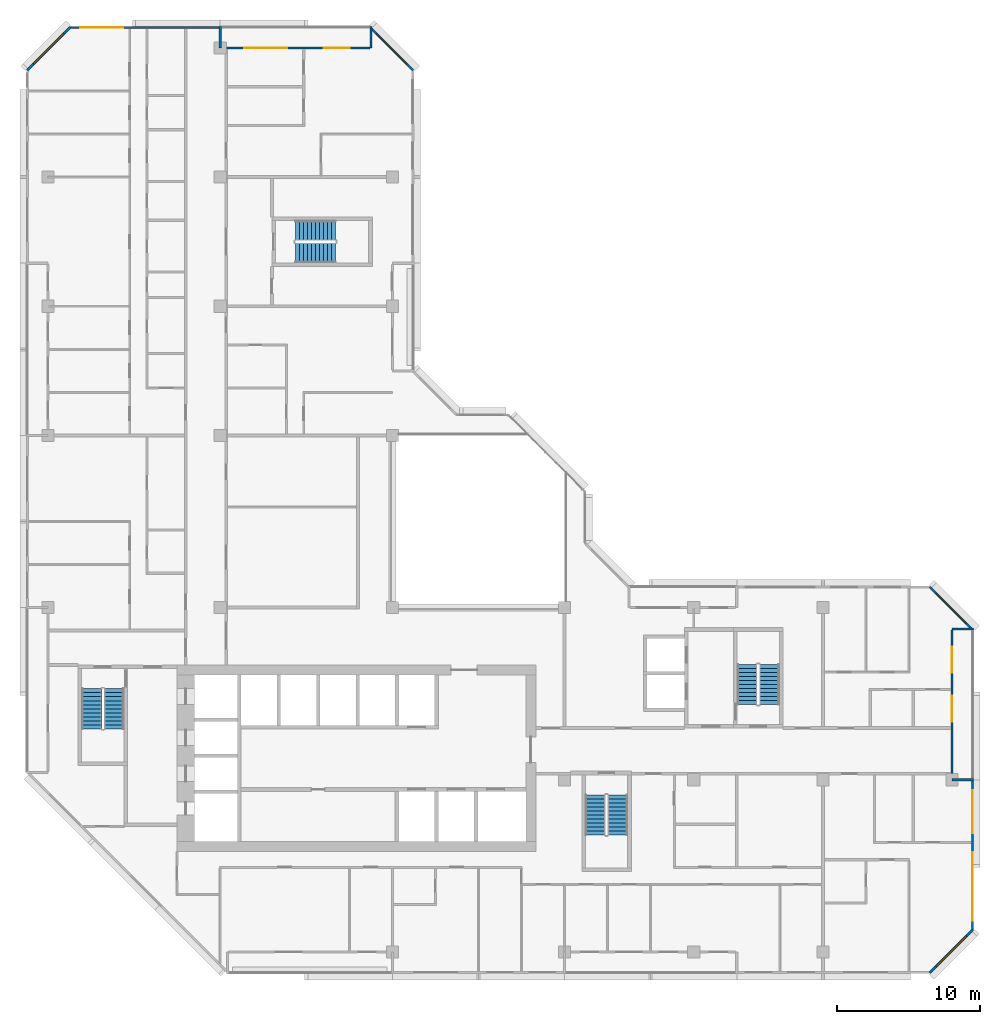
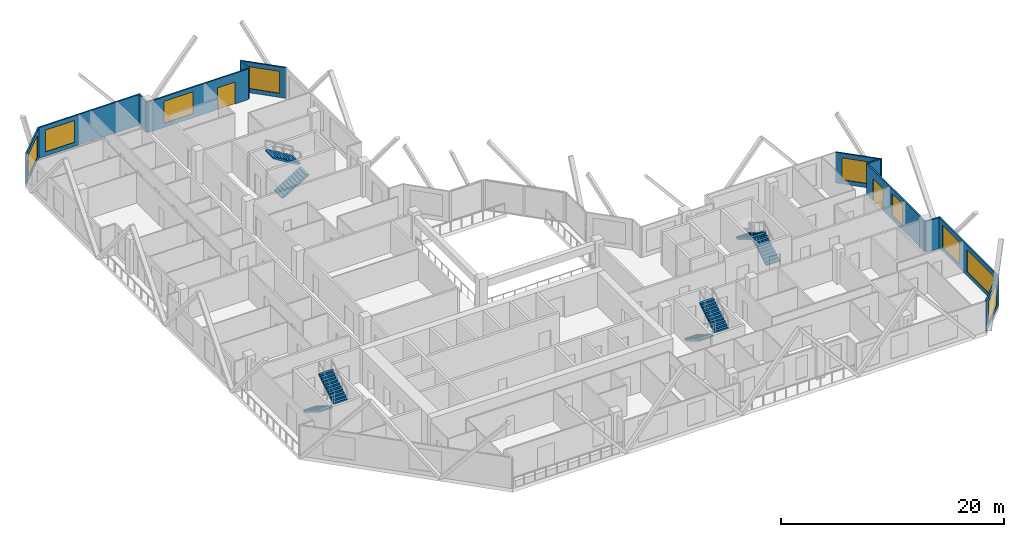
# One storey, part 12 of 14: 12 walls, 9 windows, 8 stair flights, 2 doors, 11 openings, 4 elements without a shape of their own.
"""IFC4 building model written with IfcOpenShell, lengths in metres."""

from ifc_helpers import new_model, si_unit, direction, frame, frame_2d, origin, place, context, subcontext, project, spatial, polyline, rectangle, outline, extrude, material, layer, layer_set, type_object, element, fill, aggregate, save


model = new_model("IFC4")

# Units and contexts
model_context = context("Model", 3, precision=1e-05, world=origin(), true_north=direction((0.0, 1.0)))
body_context = subcontext(model_context, "Body", "Model", "MODEL_VIEW")
ifc_project = project(units=[si_unit("LENGTHUNIT", "METRE"), si_unit("AREAUNIT", "SQUARE_METRE"), si_unit("VOLUMEUNIT", "CUBIC_METRE"), si_unit("PLANEANGLEUNIT", "RADIAN"), si_unit("MASSUNIT", "GRAM", prefix="KILO")], contexts=[model_context])

# Site, building, storey
site_placement = place(None, origin())
site = spatial("IfcSite", under=ifc_project, at=site_placement, CompositionType="ELEMENT")
building_placement = place(site_placement, origin())
building = spatial("IfcBuilding", under=site, at=building_placement, Name="Chenar Terraces", CompositionType="ELEMENT")
storey_placement = place(building_placement, frame((0.0, 0.0, 226.64990234375)))
storey = spatial("IfcBuildingStorey", under=building, at=storey_placement, Name="L53", CompositionType="ELEMENT", Elevation=226.64990234375)

# Wall, opening, window
ifc_material_1 = material(Name="Aluminium framed glazing", Category="aluminium")
ifc_layer_1 = layer(ifc_material_1, 0.14990234375)
ifc_layer_set_1 = layer_set([ifc_layer_1], Name="Aluminium framed glazing")
wall_type_1 = type_object("IfcWallType", Name="Glazed flush facade wall 150", PredefinedType="SOLIDWALL", material=ifc_layer_set_1)
wall_1_placement = place(storey_placement, frame((11.925048828125, 64.425048828125, 0.0), z_axis=(0.0, 0.0, 1.0), x_axis=(-1.0, 0.0, 0.0)))
wall_1 = element("IfcWall", 1, at=wall_1_placement, inside=storey, type_object=wall_type_1, Name="Glazed flush facade wall", PredefinedType="SOLIDWALL", context=body_context, shape_type="SweptSolid", body=[
    extrude(rectangle(XDim=10.425048828125, YDim=0.14990234375, at=frame_2d((5.21240234375, 0.0))), origin(), (0.0, 0.0, 1.0), 3.35009765625),
])
opening_1_placement = place(wall_1_placement, frame((6.675048828125, 0.0, 0.449951171875)))
opening_1 = element("IfcOpeningElement", 2, at=opening_1_placement, cuts=wall_1, Name="Opening W300x240", PredefinedType="OPENING", context=body_context, shape_type="SweptSolid", body=[
    extrude(rectangle(XDim=3.0, YDim=2.39990234375, at=frame_2d((1.5, 1.199951171875))), frame((0.0, 0.0849609375, 0.0), z_axis=(0.0, -1.0, 0.0), x_axis=(1.0, 0.0, 0.0)), (0.0, 0.0, 1.0), 0.169921875),
])
ifc_material_2 = material(Name="Low emissivity double glazing, aluminium frame", Category="aluminium")
window_type_1 = type_object("IfcWindowType", Name="Fixed light 3000 x 2400", PartitioningType="SINGLE_PANEL", PredefinedType="WINDOW", material=ifc_material_2)
window_1_placement = place(opening_1_placement, origin())
window_1 = element("IfcWindow", 3, at=window_1_placement, inside=storey, type_object=window_type_1, Name="Window", OverallHeight=2.39990234375, OverallWidth=3.0, PartitioningType="SINGLE_PANEL", PredefinedType="WINDOW", context=body_context, shape_type="SweptSolid", body=[
    extrude(rectangle(XDim=3.0, YDim=2.39990234375, at=frame_2d((1.5, 1.199951171875))), frame((0.0, 0.030029296875, 0.0), z_axis=(0.0, -1.0, 0.0), x_axis=(1.0, 0.0, 0.0)), (0.0, 0.0, 1.0), 0.06005859375),
])
fill(opening_1, window_1)

# Wall, openings, windows
wall_2_placement = place(storey_placement, frame((64.425048828125, 1.5, 0.0), z_axis=(0.0, 0.0, 1.0), x_axis=(0.0, 1.0, 0.0)))
wall_2 = element("IfcWall", 4, at=wall_2_placement, inside=storey, type_object=wall_type_1, Name="Glazed flush facade wall", PredefinedType="SOLIDWALL", context=body_context, shape_type="SweptSolid", body=[
    extrude(rectangle(XDim=10.425048828125, YDim=0.14990234375, at=frame_2d((5.21240234375, 0.0))), origin(), (0.0, 0.0, 1.0), 3.35009765625),
])
opening_2_placement = place(wall_2_placement, frame((0.66259765625, 0.0, 0.449951171875)))
opening_2 = element("IfcOpeningElement", 5, at=opening_2_placement, cuts=wall_2, Name="Opening W480x240", PredefinedType="OPENING", context=body_context, shape_type="SweptSolid", body=[
    extrude(rectangle(XDim=4.800048828125, YDim=2.39990234375, at=frame_2d((2.39990234375, 1.199951171875))), frame((0.0, 0.0849609375, 0.0), z_axis=(0.0, -1.0, 0.0), x_axis=(1.0, 0.0, 0.0)), (0.0, 0.0, 1.0), 0.169921875),
])
opening_3_placement = place(wall_2_placement, frame((6.77490234375, 0.0, 0.449951171875)))
opening_3 = element("IfcOpeningElement", 6, at=opening_3_placement, cuts=wall_2, Name="Opening W300x240", PredefinedType="OPENING", context=body_context, shape_type="SweptSolid", body=[
    extrude(rectangle(XDim=3.0, YDim=2.39990234375, at=frame_2d((1.5, 1.199951171875))), frame((0.0, 0.0849609375, 0.0), z_axis=(0.0, -1.0, 0.0), x_axis=(1.0, 0.0, 0.0)), (0.0, 0.0, 1.0), 0.169921875),
])
window_2_placement = place(opening_3_placement, origin())
window_2 = element("IfcWindow", 7, at=window_2_placement, inside=storey, type_object=window_type_1, Name="Window", OverallHeight=2.39990234375, OverallWidth=3.0, PartitioningType="SINGLE_PANEL", PredefinedType="WINDOW", context=body_context, shape_type="SweptSolid", body=[
    extrude(rectangle(XDim=3.0, YDim=2.39990234375, at=frame_2d((1.5, 1.199951171875))), frame((0.0, 0.030029296875, 0.0), z_axis=(0.0, -1.0, 0.0), x_axis=(1.0, 0.0, 0.0)), (0.0, 0.0, 1.0), 0.06005859375),
])
fill(opening_3, window_2)
ifc_material_3 = material(Name="Low emissivity double glazing, aluminium frame", Category="aluminium")
window_type_2 = type_object("IfcWindowType", Name="Fixed light 4800 x 2400", PartitioningType="SINGLE_PANEL", PredefinedType="WINDOW", material=ifc_material_3)
window_3_placement = place(opening_2_placement, origin())
window_3 = element("IfcWindow", 8, at=window_3_placement, inside=storey, type_object=window_type_2, Name="Window", OverallHeight=2.39990234375, OverallWidth=4.800048828125, PartitioningType="SINGLE_PANEL", PredefinedType="WINDOW", context=body_context, shape_type="SweptSolid", body=[
    extrude(rectangle(XDim=4.800048828125, YDim=2.39990234375, at=frame_2d((2.39990234375, 1.199951171875))), frame((0.0, 0.030029296875, 0.0), z_axis=(0.0, -1.0, 0.0), x_axis=(1.0, 0.0, 0.0)), (0.0, 0.0, 1.0), 0.06005859375),
])
fill(opening_2, window_3)

# Wall, openings, window, door
ifc_material_4 = material(Name="Aluminium framed glazing", Category="aluminium")
ifc_layer_2 = layer(ifc_material_4, 0.14990234375)
ifc_layer_set_2 = layer_set([ifc_layer_2], Name="Aluminium framed glazing")
wall_type_2 = type_object("IfcWallType", Name="Glazed loggia back wall 150", PredefinedType="SOLIDWALL", material=ifc_layer_set_2)
wall_3_placement = place(storey_placement, frame((22.425048828125, 63.0, 0.0), z_axis=(0.0, 0.0, 1.0), x_axis=(-1.0, 0.0, 0.0)))
wall_3 = element("IfcWall", 9, at=wall_3_placement, inside=storey, type_object=wall_type_2, Name="Glazed loggia back wall", PredefinedType="SOLIDWALL", context=body_context, shape_type="SweptSolid", body=[
    extrude(rectangle(XDim=10.35009765625, YDim=0.14990234375, at=frame_2d((5.175048828125, 0.0))), origin(), (0.0, 0.0, 1.0), 3.35009765625),
])
opening_4_placement = place(wall_3_placement, frame((1.39990234375, 0.0, 0.0)))
opening_4 = element("IfcOpeningElement", 10, at=opening_4_placement, cuts=wall_3, Name="Opening DL53-G2", PredefinedType="OPENING", context=body_context, shape_type="SweptSolid", body=[
    extrude(rectangle(XDim=1.800048828125, YDim=2.39990234375, at=frame_2d((0.89990234375, 1.199951171875))), frame((0.0, 0.0849609375, 0.0), z_axis=(0.0, -1.0, 0.0), x_axis=(1.0, 0.0, 0.0)), (0.0, 0.0, 1.0), 0.169921875),
])
opening_5_placement = place(wall_3_placement, frame((5.75, 0.0, 0.449951171875)))
opening_5 = element("IfcOpeningElement", 11, at=opening_5_placement, cuts=wall_3, Name="Opening W300x240", PredefinedType="OPENING", context=body_context, shape_type="SweptSolid", body=[
    extrude(rectangle(XDim=3.0, YDim=2.39990234375, at=frame_2d((1.5, 1.199951171875))), frame((0.0, 0.0849609375, 0.0), z_axis=(0.0, -1.0, 0.0), x_axis=(1.0, 0.0, 0.0)), (0.0, 0.0, 1.0), 0.169921875),
])
window_4_placement = place(opening_5_placement, origin())
window_4 = element("IfcWindow", 12, at=window_4_placement, inside=storey, type_object=window_type_1, Name="Window", OverallHeight=2.39990234375, OverallWidth=3.0, PartitioningType="SINGLE_PANEL", PredefinedType="WINDOW", context=body_context, shape_type="SweptSolid", body=[
    extrude(rectangle(XDim=3.0, YDim=2.39990234375, at=frame_2d((1.5, 1.199951171875))), frame((0.0, 0.030029296875, 0.0), z_axis=(0.0, -1.0, 0.0), x_axis=(1.0, 0.0, 0.0)), (0.0, 0.0, 1.0), 0.06005859375),
])
fill(opening_5, window_4)
ifc_material_5 = material(Name="Low emissivity double glazing, aluminium frame", Category="aluminium")
door_type = type_object("IfcDoorType", Name="Loggia glazed double door 1800 x 2400", OperationType="DOUBLE_DOOR_SINGLE_SWING", PredefinedType="DOOR", material=ifc_material_5)
door_1_placement = place(opening_4_placement, frame((1.800048828125, 0.0, 0.0), z_axis=(0.0, 0.0, 1.0), x_axis=(-1.0, 0.0, 0.0)))
door_1 = element("IfcDoor", 13, at=door_1_placement, inside=storey, type_object=door_type, Name="Loggia glazed door", OperationType="DOUBLE_DOOR_SINGLE_SWING", OverallHeight=2.39990234375, OverallWidth=1.800048828125, PredefinedType="DOOR", context=body_context, shape_type="SweptSolid", body=[
    extrude(rectangle(XDim=1.800048828125, YDim=2.39990234375, at=frame_2d((0.89990234375, 1.199951171875))), frame((0.0, 0.02490234375, 0.0), z_axis=(0.0, -1.0, 0.0), x_axis=(1.0, 0.0, 0.0)), (0.0, 0.0, 1.0), 0.050048828125),
])
fill(opening_4, door_1)

wall_4_placement = place(storey_placement, frame((63.0, 12.074951171875, 0.0), z_axis=(0.0, 0.0, 1.0), x_axis=(0.0, 1.0, 0.0)))
wall_4 = element("IfcWall", 14, at=wall_4_placement, inside=storey, type_object=wall_type_2, Name="Glazed loggia back wall", PredefinedType="SOLIDWALL", context=body_context, shape_type="SweptSolid", body=[
    extrude(rectangle(XDim=10.35009765625, YDim=0.14990234375, at=frame_2d((5.175048828125, 0.0))), origin(), (0.0, 0.0, 1.0), 3.35009765625),
])
opening_6_placement = place(wall_4_placement, frame((3.97509765625, 0.0, 0.449951171875)))
opening_6 = element("IfcOpeningElement", 15, at=opening_6_placement, cuts=wall_4, Name="Opening W180x240", PredefinedType="OPENING", context=body_context, shape_type="SweptSolid", body=[
    extrude(rectangle(XDim=1.800048828125, YDim=2.39990234375, at=frame_2d((0.89990234375, 1.199951171875))), frame((0.0, 0.0849609375, 0.0), z_axis=(0.0, -1.0, 0.0), x_axis=(1.0, 0.0, 0.0)), (0.0, 0.0, 1.0), 0.169921875),
])
opening_7_placement = place(wall_4_placement, frame((7.387451171875, 0.0, 0.0)))
opening_7 = element("IfcOpeningElement", 16, at=opening_7_placement, cuts=wall_4, Name="Opening DL53-G7", PredefinedType="OPENING", context=body_context, shape_type="SweptSolid", body=[
    extrude(rectangle(XDim=1.800048828125, YDim=2.39990234375, at=frame_2d((0.89990234375, 1.199951171875))), frame((0.0, 0.0849609375, 0.0), z_axis=(0.0, -1.0, 0.0), x_axis=(1.0, 0.0, 0.0)), (0.0, 0.0, 1.0), 0.169921875),
])
ifc_material_6 = material(Name="Low emissivity double glazing, aluminium frame", Category="aluminium")
window_type_3 = type_object("IfcWindowType", Name="Fixed light 1800 x 2400", PartitioningType="SINGLE_PANEL", PredefinedType="WINDOW", material=ifc_material_6)
window_5_placement = place(opening_6_placement, origin())
window_5 = element("IfcWindow", 17, at=window_5_placement, inside=storey, type_object=window_type_3, Name="Window", OverallHeight=2.39990234375, OverallWidth=1.800048828125, PartitioningType="SINGLE_PANEL", PredefinedType="WINDOW", context=body_context, shape_type="SweptSolid", body=[
    extrude(rectangle(XDim=1.800048828125, YDim=2.39990234375, at=frame_2d((0.89990234375, 1.199951171875))), frame((0.0, 0.030029296875, 0.0), z_axis=(0.0, -1.0, 0.0), x_axis=(1.0, 0.0, 0.0)), (0.0, 0.0, 1.0), 0.06005859375),
])
fill(opening_6, window_5)
door_2_placement = place(opening_7_placement, frame((1.800048828125, 0.0, 0.0), z_axis=(0.0, 0.0, 1.0), x_axis=(-1.0, 0.0, 0.0)))
door_2 = element("IfcDoor", 18, at=door_2_placement, inside=storey, type_object=door_type, Name="Loggia glazed door", OperationType="DOUBLE_DOOR_SINGLE_SWING", OverallHeight=2.39990234375, OverallWidth=1.800048828125, PredefinedType="DOOR", context=body_context, shape_type="SweptSolid", body=[
    extrude(rectangle(XDim=1.800048828125, YDim=2.39990234375, at=frame_2d((0.89990234375, 1.199951171875))), frame((0.0, 0.02490234375, 0.0), z_axis=(0.0, -1.0, 0.0), x_axis=(1.0, 0.0, 0.0)), (0.0, 0.0, 1.0), 0.050048828125),
])
fill(opening_7, door_2)

# Walls
ifc_material_7 = material(Name="Terracotta cladding on insulated backing", Category="masonry")
ifc_layer_3 = layer(ifc_material_7, 0.14990234375)
ifc_layer_set_3 = layer_set([ifc_layer_3], Name="Terracotta cladding on insulated backing")
wall_type_3 = type_object("IfcWallType", Name="Loggia return wall 150", PredefinedType="SOLIDWALL", material=ifc_layer_set_3)
for number, where, z_axis, x_axis, name in (
    (19, (22.5, 64.5, 0.0), (0.0, 0.0, 1.0), (0.0, -1.0, 0.0), "Loggia return wall"),
    (20, (12.0, 64.5, 0.0), (0.0, 0.0, 1.0), (0.0, -1.0, 0.0), "Loggia return wall"),
    (21, (64.5, 12.0, 0.0), (0.0, 0.0, 1.0), (-1.0, 0.0, 0.0), "Loggia return wall"),
    (22, (64.5, 22.5, 0.0), (0.0, 0.0, 1.0), (-1.0, 0.0, 0.0), "Loggia return wall"),
):
    element("IfcWall", number, at=place(storey_placement, frame(where, z_axis=z_axis, x_axis=x_axis)), inside=storey, type_object=wall_type_3, Name=name, PredefinedType="SOLIDWALL", context=body_context, shape_type="SweptSolid", body=[
        extrude(rectangle(XDim=1.5, YDim=0.14990234375, at=frame_2d((0.75, 0.0))), origin(), (0.0, 0.0, 1.0), 3.35009765625),
    ])

# Wall, opening, window
ifc_material_8 = material(Name="Terracotta cladding on insulated backing", Category="masonry")
ifc_layer_4 = layer(ifc_material_8, 0.14990234375)
ifc_layer_set_4 = layer_set([ifc_layer_4], Name="Terracotta cladding on insulated backing")
wall_type_4 = type_object("IfcWallType", Name="Terracotta rainscreen wall 150", PredefinedType="SOLIDWALL", material=ifc_layer_set_4)
wall_5_placement = place(storey_placement, frame((25.447021484375, 61.447021484375, 0.0), z_axis=(0.0, 0.0, 1.0), x_axis=(-0.707106781187, 0.707106781187, 0.0)))
wall_5 = element("IfcWall", 23, at=wall_5_placement, inside=storey, type_object=wall_type_4, Name="Terracotta rainscreen wall", PredefinedType="SOLIDWALL", context=body_context, shape_type="SweptSolid", body=[
    extrude(rectangle(XDim=4.24267578125, YDim=0.14990234375, at=frame_2d((2.121337890625, 0.0))), origin(), (0.0, 0.0, 1.0), 3.35009765625),
])
opening_8_placement = place(wall_5_placement, frame((0.621337890625, 0.0, 0.449951171875)))
opening_8 = element("IfcOpeningElement", 24, at=opening_8_placement, cuts=wall_5, Name="Opening W300x240", PredefinedType="OPENING", context=body_context, shape_type="SweptSolid", body=[
    extrude(rectangle(XDim=3.0, YDim=2.39990234375, at=frame_2d((1.5, 1.199951171875))), frame((0.0, 0.0849609375, 0.0), z_axis=(0.0, -1.0, 0.0), x_axis=(1.0, 0.0, 0.0)), (0.0, 0.0, 1.0), 0.169921875),
])
window_6_placement = place(opening_8_placement, origin())
window_6 = element("IfcWindow", 25, at=window_6_placement, inside=storey, type_object=window_type_1, Name="Window", OverallHeight=2.39990234375, OverallWidth=3.0, PartitioningType="SINGLE_PANEL", PredefinedType="WINDOW", context=body_context, shape_type="SweptSolid", body=[
    extrude(rectangle(XDim=3.0, YDim=2.39990234375, at=frame_2d((1.5, 1.199951171875))), frame((0.0, 0.030029296875, 0.0), z_axis=(0.0, -1.0, 0.0), x_axis=(1.0, 0.0, 0.0)), (0.0, 0.0, 1.0), 0.06005859375),
])
fill(opening_8, window_6)

wall_6_placement = place(storey_placement, frame((1.552978515625, 64.447021484375, 0.0), z_axis=(0.0, 0.0, 1.0), x_axis=(-0.707106781187, -0.707106781187, 0.0)))
wall_6 = element("IfcWall", 26, at=wall_6_placement, inside=storey, type_object=wall_type_4, Name="Terracotta rainscreen wall", PredefinedType="SOLIDWALL", context=body_context, shape_type="SweptSolid", body=[
    extrude(rectangle(XDim=4.24267578125, YDim=0.14990234375, at=frame_2d((2.121337890625, 0.0))), origin(), (0.0, 0.0, 1.0), 3.35009765625),
])
opening_9_placement = place(wall_6_placement, frame((0.621337890625, 0.0, 0.449951171875)))
opening_9 = element("IfcOpeningElement", 27, at=opening_9_placement, cuts=wall_6, Name="Opening W300x240", PredefinedType="OPENING", context=body_context, shape_type="SweptSolid", body=[
    extrude(rectangle(XDim=3.0, YDim=2.39990234375, at=frame_2d((1.5, 1.199951171875))), frame((0.0, 0.0849609375, 0.0), z_axis=(0.0, -1.0, 0.0), x_axis=(1.0, 0.0, 0.0)), (0.0, 0.0, 1.0), 0.169921875),
])
window_7_placement = place(opening_9_placement, origin())
window_7 = element("IfcWindow", 28, at=window_7_placement, inside=storey, type_object=window_type_1, Name="Window", OverallHeight=2.39990234375, OverallWidth=3.0, PartitioningType="SINGLE_PANEL", PredefinedType="WINDOW", context=body_context, shape_type="SweptSolid", body=[
    extrude(rectangle(XDim=3.0, YDim=2.39990234375, at=frame_2d((1.5, 1.199951171875))), frame((0.0, 0.030029296875, 0.0), z_axis=(0.0, -1.0, 0.0), x_axis=(1.0, 0.0, 0.0)), (0.0, 0.0, 1.0), 0.06005859375),
])
fill(opening_9, window_7)

wall_7_placement = place(storey_placement, frame((61.447021484375, -1.447021484375, 0.0), z_axis=(0.0, 0.0, 1.0), x_axis=(0.707106781187, 0.707106781187, 0.0)))
wall_7 = element("IfcWall", 29, at=wall_7_placement, inside=storey, type_object=wall_type_4, Name="Terracotta rainscreen wall", PredefinedType="SOLIDWALL", context=body_context, shape_type="SweptSolid", body=[
    extrude(rectangle(XDim=4.24267578125, YDim=0.14990234375, at=frame_2d((2.121337890625, 0.0))), origin(), (0.0, 0.0, 1.0), 3.35009765625),
])
opening_10_placement = place(wall_7_placement, frame((0.621337890625, 0.0, 0.449951171875)))
opening_10 = element("IfcOpeningElement", 30, at=opening_10_placement, cuts=wall_7, Name="Opening W300x240", PredefinedType="OPENING", context=body_context, shape_type="SweptSolid", body=[
    extrude(rectangle(XDim=3.0, YDim=2.39990234375, at=frame_2d((1.5, 1.199951171875))), frame((0.0, 0.0849609375, 0.0), z_axis=(0.0, -1.0, 0.0), x_axis=(1.0, 0.0, 0.0)), (0.0, 0.0, 1.0), 0.169921875),
])
window_8_placement = place(opening_10_placement, origin())
window_8 = element("IfcWindow", 31, at=window_8_placement, inside=storey, type_object=window_type_1, Name="Window", OverallHeight=2.39990234375, OverallWidth=3.0, PartitioningType="SINGLE_PANEL", PredefinedType="WINDOW", context=body_context, shape_type="SweptSolid", body=[
    extrude(rectangle(XDim=3.0, YDim=2.39990234375, at=frame_2d((1.5, 1.199951171875))), frame((0.0, 0.030029296875, 0.0), z_axis=(0.0, -1.0, 0.0), x_axis=(1.0, 0.0, 0.0)), (0.0, 0.0, 1.0), 0.06005859375),
])
fill(opening_10, window_8)

wall_8_placement = place(storey_placement, frame((64.447021484375, 22.447021484375, 0.0), z_axis=(0.0, 0.0, 1.0), x_axis=(-0.707106781187, 0.707106781187, 0.0)))
wall_8 = element("IfcWall", 32, at=wall_8_placement, inside=storey, type_object=wall_type_4, Name="Terracotta rainscreen wall", PredefinedType="SOLIDWALL", context=body_context, shape_type="SweptSolid", body=[
    extrude(rectangle(XDim=4.24267578125, YDim=0.14990234375, at=frame_2d((2.121337890625, 0.0))), origin(), (0.0, 0.0, 1.0), 3.35009765625),
])
opening_11_placement = place(wall_8_placement, frame((0.621337890625, 0.0, 0.449951171875)))
opening_11 = element("IfcOpeningElement", 33, at=opening_11_placement, cuts=wall_8, Name="Opening W300x240", PredefinedType="OPENING", context=body_context, shape_type="SweptSolid", body=[
    extrude(rectangle(XDim=3.0, YDim=2.39990234375, at=frame_2d((1.5, 1.199951171875))), frame((0.0, 0.0849609375, 0.0), z_axis=(0.0, -1.0, 0.0), x_axis=(1.0, 0.0, 0.0)), (0.0, 0.0, 1.0), 0.169921875),
])
window_9_placement = place(opening_11_placement, origin())
window_9 = element("IfcWindow", 34, at=window_9_placement, inside=storey, type_object=window_type_1, Name="Window", OverallHeight=2.39990234375, OverallWidth=3.0, PartitioningType="SINGLE_PANEL", PredefinedType="WINDOW", context=body_context, shape_type="SweptSolid", body=[
    extrude(rectangle(XDim=3.0, YDim=2.39990234375, at=frame_2d((1.5, 1.199951171875))), frame((0.0, 0.030029296875, 0.0), z_axis=(0.0, -1.0, 0.0), x_axis=(1.0, 0.0, 0.0)), (0.0, 0.0, 1.0), 0.06005859375),
])
fill(opening_11, window_9)

# Stair, stair flights
ifc_material_9 = material(Name="Reinforced concrete C40/50", Category="concrete")
stair_type = type_object("IfcStairType", Name="Core stair 1400 half-turn", PredefinedType="HALF_TURN_STAIR", material=ifc_material_9)
placement = place(storey_placement, origin())
stair_1 = element("IfcStair", 35, at=placement, inside=storey, type_object=stair_type, Name="L53 Stair 1", PredefinedType="HALF_TURN_STAIR")
ifc_material_10 = material(Name="Reinforced concrete C40/50", Category="concrete")
stair_flight_type = type_object("IfcStairFlightType", Name="Core stair flight 1400", PredefinedType="STRAIGHT", material=ifc_material_10)
stair_flight_1_placement = place(storey_placement, frame((3.050048828125, 18.35009765625, 0.0), z_axis=(0.0, 0.0, 1.0), x_axis=(0.0, -1.0, 0.0)))
stair_flight_1 = element("IfcStairFlight", 36, at=stair_flight_1_placement, type_object=stair_flight_type, Name="ST1 flight 1", NumberOfRisers=11, NumberOfTreads=10, PredefinedType="STRAIGHT", RiserHeight=0.170454545, TreadLength=0.28, context=body_context, shape_type="SweptSolid", body=[
    extrude(outline(polyline([(-0.0029296875, 0.0), (-0.0029296875, 0.17041015625), (0.0, 0.17041015625), (0.280029296875, 0.17041015625), (0.280029296875, 0.3408203125), (0.56005859375, 0.3408203125), (0.56005859375, 0.511474609375), (0.840087890625, 0.511474609375), (0.840087890625, 0.681884765625), (1.1201171875, 0.681884765625), (1.1201171875, 0.852294921875), (1.39990234375, 0.852294921875), (1.39990234375, 1.022705078125), (1.679931640625, 1.022705078125), (1.679931640625, 1.193115234375), (1.9599609375, 1.193115234375), (1.9599609375, 1.363525390625), (2.239990234375, 1.363525390625), (2.239990234375, 1.5341796875), (2.52001953125, 1.5341796875), (2.52001953125, 1.70458984375), (2.800048828125, 1.70458984375), (2.802978515625, 1.70458984375), (2.802978515625, 1.529052734375), (2.800048828125, 1.529052734375), (0.288330078125, 0.0), (-0.0029296875, 0.0)])), frame((0.0, 0.699951171875, 0.0), z_axis=(0.0, -1.0, 0.0), x_axis=(1.0, 0.0, 0.0)), (0.0, 0.0, 1.0), 1.39990234375),
])
stair_flight_2_placement = place(storey_placement, frame((4.60009765625, 15.550048828125, 1.875), z_axis=(0.0, 0.0, 1.0), x_axis=(0.0, 1.0, 0.0)))
stair_flight_2 = element("IfcStairFlight", 37, at=stair_flight_2_placement, type_object=stair_flight_type, Name="ST1 flight 2", NumberOfRisers=11, NumberOfTreads=10, PredefinedType="STRAIGHT", RiserHeight=0.170454545, TreadLength=0.28, context=body_context, shape_type="SweptSolid", body=[
    extrude(outline(polyline([(-0.0029296875, 0.0), (-0.0029296875, 0.17041015625), (0.0, 0.17041015625), (0.280029296875, 0.17041015625), (0.280029296875, 0.3408203125), (0.56005859375, 0.3408203125), (0.56005859375, 0.511474609375), (0.840087890625, 0.511474609375), (0.840087890625, 0.681884765625), (1.1201171875, 0.681884765625), (1.1201171875, 0.852294921875), (1.39990234375, 0.852294921875), (1.39990234375, 1.022705078125), (1.679931640625, 1.022705078125), (1.679931640625, 1.193115234375), (1.9599609375, 1.193115234375), (1.9599609375, 1.363525390625), (2.239990234375, 1.363525390625), (2.239990234375, 1.5341796875), (2.52001953125, 1.5341796875), (2.52001953125, 1.70458984375), (2.800048828125, 1.70458984375), (2.802978515625, 1.70458984375), (2.802978515625, 1.529052734375), (2.800048828125, 1.529052734375), (0.288330078125, 0.0), (-0.0029296875, 0.0)])), frame((0.0, 0.699951171875, 0.0), z_axis=(0.0, -1.0, 0.0), x_axis=(1.0, 0.0, 0.0)), (0.0, 0.0, 1.0), 1.39990234375),
])
aggregate(stair_1, [stair_flight_1, stair_flight_2])

stair_2 = element("IfcStair", 38, at=placement, inside=storey, type_object=stair_type, Name="L53 Stair 2", PredefinedType="HALF_TURN_STAIR")
stair_flight_3_placement = place(storey_placement, frame((38.14990234375, 10.949951171875, 0.0), z_axis=(0.0, 0.0, 1.0), x_axis=(0.0, -1.0, 0.0)))
stair_flight_3 = element("IfcStairFlight", 39, at=stair_flight_3_placement, type_object=stair_flight_type, Name="ST2 flight 1", NumberOfRisers=11, NumberOfTreads=10, PredefinedType="STRAIGHT", RiserHeight=0.170454545, TreadLength=0.28, context=body_context, shape_type="SweptSolid", body=[
    extrude(outline(polyline([(-0.0029296875, 0.0), (-0.0029296875, 0.17041015625), (0.0, 0.17041015625), (0.280029296875, 0.17041015625), (0.280029296875, 0.3408203125), (0.56005859375, 0.3408203125), (0.56005859375, 0.511474609375), (0.840087890625, 0.511474609375), (0.840087890625, 0.681884765625), (1.1201171875, 0.681884765625), (1.1201171875, 0.852294921875), (1.39990234375, 0.852294921875), (1.39990234375, 1.022705078125), (1.679931640625, 1.022705078125), (1.679931640625, 1.193115234375), (1.9599609375, 1.193115234375), (1.9599609375, 1.363525390625), (2.239990234375, 1.363525390625), (2.239990234375, 1.5341796875), (2.52001953125, 1.5341796875), (2.52001953125, 1.70458984375), (2.800048828125, 1.70458984375), (2.802978515625, 1.70458984375), (2.802978515625, 1.529052734375), (2.800048828125, 1.529052734375), (0.288330078125, 0.0), (-0.0029296875, 0.0)])), frame((0.0, 0.699951171875, 0.0), z_axis=(0.0, -1.0, 0.0), x_axis=(1.0, 0.0, 0.0)), (0.0, 0.0, 1.0), 1.39990234375),
])
stair_flight_4_placement = place(storey_placement, frame((39.699951171875, 8.14990234375, 1.875), z_axis=(0.0, 0.0, 1.0), x_axis=(0.0, 1.0, 0.0)))
stair_flight_4 = element("IfcStairFlight", 40, at=stair_flight_4_placement, type_object=stair_flight_type, Name="ST2 flight 2", NumberOfRisers=11, NumberOfTreads=10, PredefinedType="STRAIGHT", RiserHeight=0.170454545, TreadLength=0.28, context=body_context, shape_type="SweptSolid", body=[
    extrude(outline(polyline([(-0.0029296875, 0.0), (-0.0029296875, 0.17041015625), (0.0, 0.17041015625), (0.280029296875, 0.17041015625), (0.280029296875, 0.3408203125), (0.56005859375, 0.3408203125), (0.56005859375, 0.511474609375), (0.840087890625, 0.511474609375), (0.840087890625, 0.681884765625), (1.1201171875, 0.681884765625), (1.1201171875, 0.852294921875), (1.39990234375, 0.852294921875), (1.39990234375, 1.022705078125), (1.679931640625, 1.022705078125), (1.679931640625, 1.193115234375), (1.9599609375, 1.193115234375), (1.9599609375, 1.363525390625), (2.239990234375, 1.363525390625), (2.239990234375, 1.5341796875), (2.52001953125, 1.5341796875), (2.52001953125, 1.70458984375), (2.800048828125, 1.70458984375), (2.802978515625, 1.70458984375), (2.802978515625, 1.529052734375), (2.800048828125, 1.529052734375), (0.288330078125, 0.0), (-0.0029296875, 0.0)])), frame((0.0, 0.699951171875, 0.0), z_axis=(0.0, -1.0, 0.0), x_axis=(1.0, 0.0, 0.0)), (0.0, 0.0, 1.0), 1.39990234375),
])
aggregate(stair_2, [stair_flight_3, stair_flight_4])

stair_3 = element("IfcStair", 41, at=placement, inside=storey, type_object=stair_type, Name="L53 Stair 3", PredefinedType="HALF_TURN_STAIR")
stair_flight_5_placement = place(storey_placement, frame((50.27490234375, 17.25, 0.0), z_axis=(0.0, 0.0, 1.0), x_axis=(0.0, 1.0, 0.0)))
stair_flight_5 = element("IfcStairFlight", 42, at=stair_flight_5_placement, type_object=stair_flight_type, Name="ST3 flight 1", NumberOfRisers=11, NumberOfTreads=10, PredefinedType="STRAIGHT", RiserHeight=0.170454545, TreadLength=0.28, context=body_context, shape_type="SweptSolid", body=[
    extrude(outline(polyline([(-0.0029296875, 0.0), (-0.0029296875, 0.17041015625), (0.0, 0.17041015625), (0.280029296875, 0.17041015625), (0.280029296875, 0.3408203125), (0.56005859375, 0.3408203125), (0.56005859375, 0.511474609375), (0.840087890625, 0.511474609375), (0.840087890625, 0.681884765625), (1.1201171875, 0.681884765625), (1.1201171875, 0.852294921875), (1.39990234375, 0.852294921875), (1.39990234375, 1.022705078125), (1.679931640625, 1.022705078125), (1.679931640625, 1.193115234375), (1.9599609375, 1.193115234375), (1.9599609375, 1.363525390625), (2.239990234375, 1.363525390625), (2.239990234375, 1.5341796875), (2.52001953125, 1.5341796875), (2.52001953125, 1.70458984375), (2.800048828125, 1.70458984375), (2.802978515625, 1.70458984375), (2.802978515625, 1.529052734375), (2.800048828125, 1.529052734375), (0.288330078125, 0.0), (-0.0029296875, 0.0)])), frame((0.0, 0.699951171875, 0.0), z_axis=(0.0, -1.0, 0.0), x_axis=(1.0, 0.0, 0.0)), (0.0, 0.0, 1.0), 1.39990234375),
])
stair_flight_6_placement = place(storey_placement, frame((48.72509765625, 20.050048828125, 1.875), z_axis=(0.0, 0.0, 1.0), x_axis=(0.0, -1.0, 0.0)))
stair_flight_6 = element("IfcStairFlight", 43, at=stair_flight_6_placement, type_object=stair_flight_type, Name="ST3 flight 2", NumberOfRisers=11, NumberOfTreads=10, PredefinedType="STRAIGHT", RiserHeight=0.170454545, TreadLength=0.28, context=body_context, shape_type="SweptSolid", body=[
    extrude(outline(polyline([(-0.0029296875, 0.0), (-0.0029296875, 0.17041015625), (0.0, 0.17041015625), (0.280029296875, 0.17041015625), (0.280029296875, 0.3408203125), (0.56005859375, 0.3408203125), (0.56005859375, 0.511474609375), (0.840087890625, 0.511474609375), (0.840087890625, 0.681884765625), (1.1201171875, 0.681884765625), (1.1201171875, 0.852294921875), (1.39990234375, 0.852294921875), (1.39990234375, 1.022705078125), (1.679931640625, 1.022705078125), (1.679931640625, 1.193115234375), (1.9599609375, 1.193115234375), (1.9599609375, 1.363525390625), (2.239990234375, 1.363525390625), (2.239990234375, 1.5341796875), (2.52001953125, 1.5341796875), (2.52001953125, 1.70458984375), (2.800048828125, 1.70458984375), (2.802978515625, 1.70458984375), (2.802978515625, 1.529052734375), (2.800048828125, 1.529052734375), (0.288330078125, 0.0), (-0.0029296875, 0.0)])), frame((0.0, 0.699951171875, 0.0), z_axis=(0.0, -1.0, 0.0), x_axis=(1.0, 0.0, 0.0)), (0.0, 0.0, 1.0), 1.39990234375),
])
aggregate(stair_3, [stair_flight_5, stair_flight_6])

stair_4 = element("IfcStair", 44, at=placement, inside=storey, type_object=stair_type, Name="L53 Stair 4", PredefinedType="HALF_TURN_STAIR")
stair_flight_7_placement = place(storey_placement, frame((17.25, 48.72509765625, 0.0), z_axis=(0.0, 0.0, 1.0), x_axis=(1.0, 0.0, 0.0)))
stair_flight_7 = element("IfcStairFlight", 45, at=stair_flight_7_placement, type_object=stair_flight_type, Name="ST4 flight 1", NumberOfRisers=11, NumberOfTreads=10, PredefinedType="STRAIGHT", RiserHeight=0.170454545, TreadLength=0.28, context=body_context, shape_type="SweptSolid", body=[
    extrude(outline(polyline([(-0.0029296875, 0.0), (-0.0029296875, 0.17041015625), (0.0, 0.17041015625), (0.280029296875, 0.17041015625), (0.280029296875, 0.3408203125), (0.56005859375, 0.3408203125), (0.56005859375, 0.511474609375), (0.840087890625, 0.511474609375), (0.840087890625, 0.681884765625), (1.1201171875, 0.681884765625), (1.1201171875, 0.852294921875), (1.39990234375, 0.852294921875), (1.39990234375, 1.022705078125), (1.679931640625, 1.022705078125), (1.679931640625, 1.193115234375), (1.9599609375, 1.193115234375), (1.9599609375, 1.363525390625), (2.239990234375, 1.363525390625), (2.239990234375, 1.5341796875), (2.52001953125, 1.5341796875), (2.52001953125, 1.70458984375), (2.800048828125, 1.70458984375), (2.802978515625, 1.70458984375), (2.802978515625, 1.529052734375), (2.800048828125, 1.529052734375), (0.288330078125, 0.0), (-0.0029296875, 0.0)])), frame((0.0, 0.699951171875, 0.0), z_axis=(0.0, -1.0, 0.0), x_axis=(1.0, 0.0, 0.0)), (0.0, 0.0, 1.0), 1.39990234375),
])
stair_flight_8_placement = place(storey_placement, frame((20.050048828125, 50.27490234375, 1.875), z_axis=(0.0, 0.0, 1.0), x_axis=(-1.0, 0.0, 0.0)))
stair_flight_8 = element("IfcStairFlight", 46, at=stair_flight_8_placement, type_object=stair_flight_type, Name="ST4 flight 2", NumberOfRisers=11, NumberOfTreads=10, PredefinedType="STRAIGHT", RiserHeight=0.170454545, TreadLength=0.28, context=body_context, shape_type="SweptSolid", body=[
    extrude(outline(polyline([(-0.0029296875, 0.0), (-0.0029296875, 0.17041015625), (0.0, 0.17041015625), (0.280029296875, 0.17041015625), (0.280029296875, 0.3408203125), (0.56005859375, 0.3408203125), (0.56005859375, 0.511474609375), (0.840087890625, 0.511474609375), (0.840087890625, 0.681884765625), (1.1201171875, 0.681884765625), (1.1201171875, 0.852294921875), (1.39990234375, 0.852294921875), (1.39990234375, 1.022705078125), (1.679931640625, 1.022705078125), (1.679931640625, 1.193115234375), (1.9599609375, 1.193115234375), (1.9599609375, 1.363525390625), (2.239990234375, 1.363525390625), (2.239990234375, 1.5341796875), (2.52001953125, 1.5341796875), (2.52001953125, 1.70458984375), (2.800048828125, 1.70458984375), (2.802978515625, 1.70458984375), (2.802978515625, 1.529052734375), (2.800048828125, 1.529052734375), (0.288330078125, 0.0), (-0.0029296875, 0.0)])), frame((0.0, 0.699951171875, 0.0), z_axis=(0.0, -1.0, 0.0), x_axis=(1.0, 0.0, 0.0)), (0.0, 0.0, 1.0), 1.39990234375),
])
aggregate(stair_4, [stair_flight_7, stair_flight_8])

save(model, "model.ifc")
